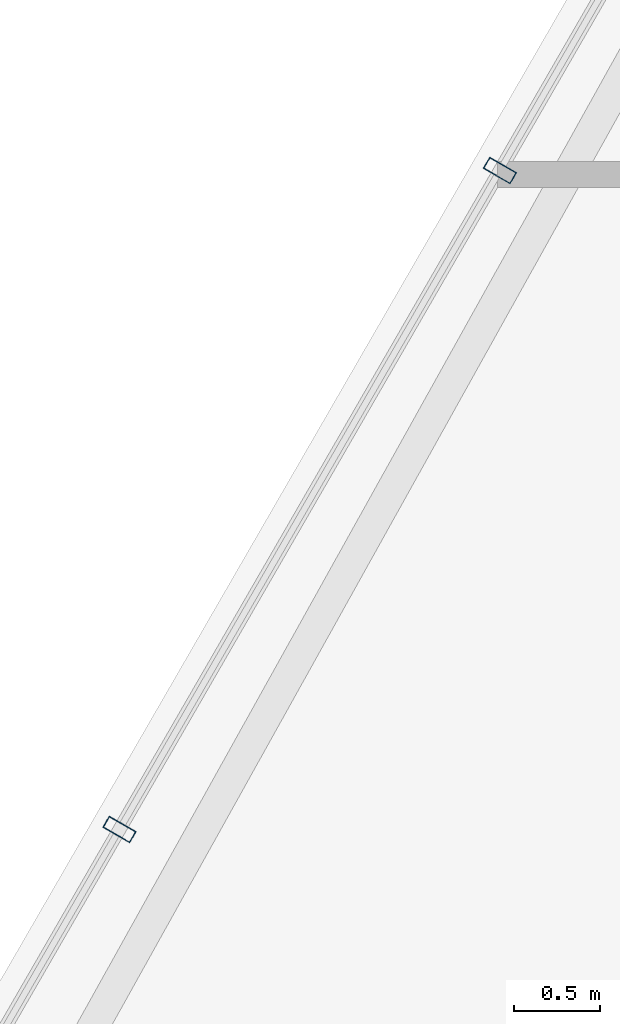
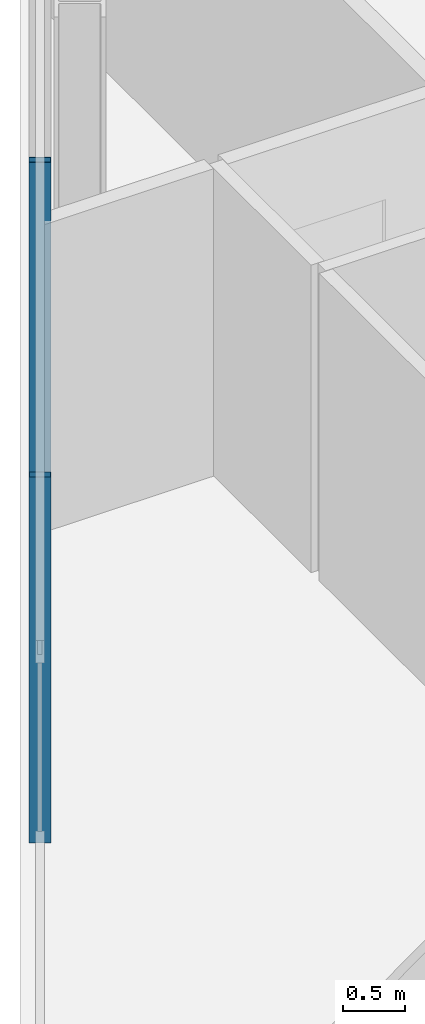
# One storey, part 11 of 32: 2 members, 1 element without a shape of its own.
"""IFC4 building model written with IfcOpenShell, lengths in metres."""

from ifc_helpers import new_model, si_unit, direction, frame, origin, origin_2d, place, context, subcontext, project, spatial, hollow_rectangle, extrude, material, layer, layer_set, material_profile, profile_set, type_object, element, aggregate, save


model = new_model("IFC4")

# Units and contexts
model_context = context("Model", 3, precision=1e-05, world=origin(), true_north=direction((0.0, 1.0)))
body_context = subcontext(model_context, "Body", "Model", "MODEL_VIEW")
ifc_project = project(units=[si_unit("LENGTHUNIT", "METRE"), si_unit("AREAUNIT", "SQUARE_METRE"), si_unit("VOLUMEUNIT", "CUBIC_METRE"), si_unit("PLANEANGLEUNIT", "RADIAN"), si_unit("MASSUNIT", "GRAM", prefix="KILO")], contexts=[model_context])

# Site, building, storey
site_placement = place(None, origin())
site = spatial("IfcSite", under=ifc_project, at=site_placement, CompositionType="ELEMENT")
building_placement = place(site_placement, origin())
building = spatial("IfcBuilding", under=site, at=building_placement, Name="Ndaravel Arena Tower", CompositionType="ELEMENT")
storey_placement = place(building_placement, frame((0.0, 0.0, 256.0)))
storey = spatial("IfcBuildingStorey", under=building, at=storey_placement, Name="L62", CompositionType="ELEMENT", Elevation=256.0)

# Curtain wall, members
ifc_material_1 = material(Name="Aluminium", Category="aluminium")
ifc_layer = layer(ifc_material_1, 0.179931640625)
ifc_layer_set = layer_set([ifc_layer], Name="Aluminium")
curtain_wall_type = type_object("IfcCurtainWallType", Name="CW-SYS-03", PredefinedType="NOTDEFINED", material=ifc_layer_set)
curtain_wall_placement = place(storey_placement, origin())
curtain_wall = element("IfcCurtainWall", 1, at=curtain_wall_placement, inside=storey, type_object=curtain_wall_type, Name="L62 Faceted Crystal Curtain Wall CW-L62-E05", PredefinedType="NOTDEFINED")
ifc_material_2 = material(Name="Aluminium", Category="aluminium")
ifc_material_profile = material_profile(ifc_material_2, hollow_rectangle(XDim=0.074951171875, YDim=0.179931640625, WallThickness=0.00390625, at=origin_2d()), Name="CW MULLION 75x180x4")
ifc_profile_set = profile_set([ifc_material_profile], Name="Aluminium")
member_type = type_object("IfcMemberType", Name="MEM-CW-MUL180", PredefinedType="MULLION", material=ifc_profile_set)
member_1_placement = place(storey_placement, frame((27.984619140625, 25.6240234375, 0.0), z_axis=(0.0, 0.0, 1.0), x_axis=(-0.5, -0.866025403784, 0.0)))
member_1 = element("IfcMember", 2, at=member_1_placement, type_object=member_type, Name="CW-L62-E05 Mullion 05", PredefinedType="MULLION", context=body_context, shape_type="SweptSolid", body=[
    extrude(hollow_rectangle(XDim=0.074951171875, YDim=0.179931640625, WallThickness=0.00390625, at=origin_2d()), origin(), (0.0, 0.0, 1.0), 3.580078125),
])
member_2_placement = place(storey_placement, frame((25.784423828125, 21.81298828125, 0.0), z_axis=(0.0, 0.0, 1.0), x_axis=(-0.5, -0.866025403784, 0.0)))
member_2 = element("IfcMember", 3, at=member_2_placement, type_object=member_type, Name="CW-L62-E05 Mullion 06", PredefinedType="MULLION", context=body_context, shape_type="SweptSolid", body=[
    extrude(hollow_rectangle(XDim=0.074951171875, YDim=0.179931640625, WallThickness=0.00390625, at=origin_2d()), origin(), (0.0, 0.0, 1.0), 3.580078125),
])
aggregate(curtain_wall, [member_1, member_2])

save(model, "model.ifc")
